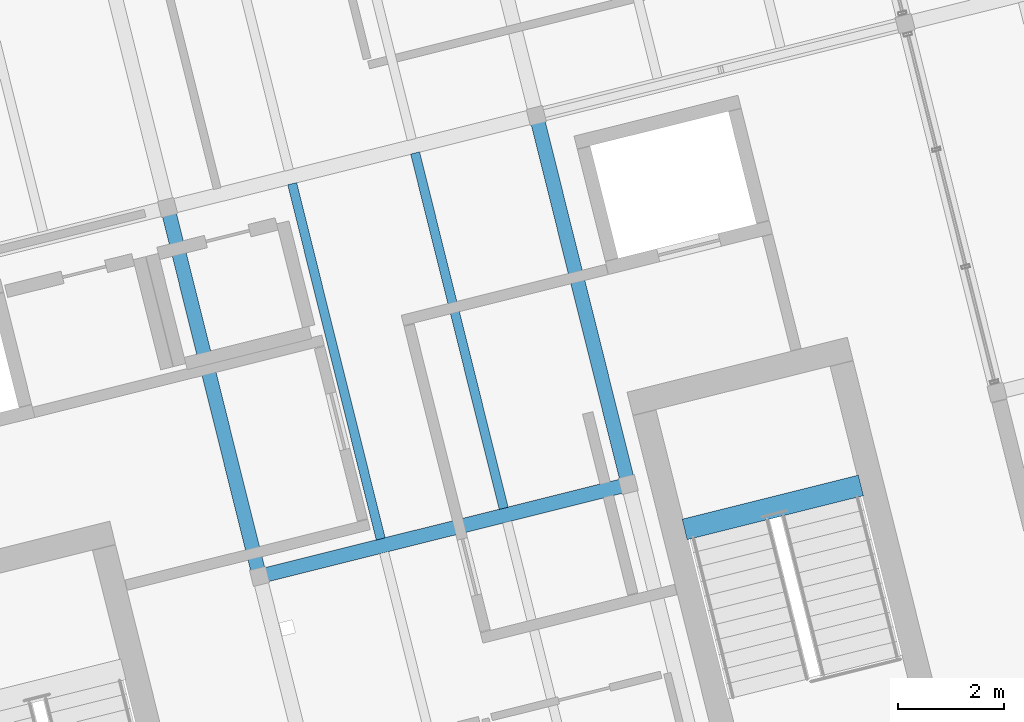
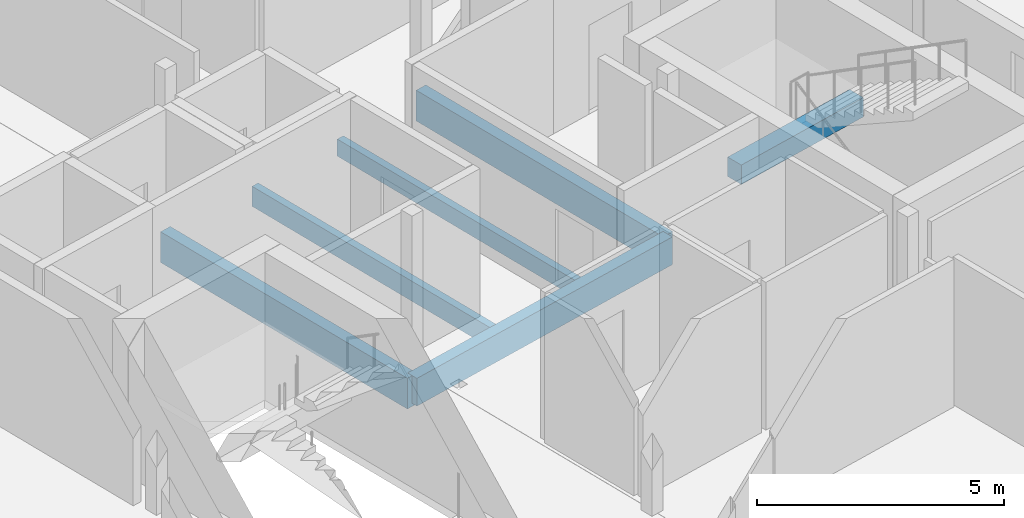
# One storey, part 13 of 24: 6 beams.
"""IFC4 building model written with IfcOpenShell, lengths in metres."""

from ifc_helpers import new_model, si_unit, direction, frame, origin, origin_2d, place, context, subcontext, project, spatial, rectangle, extrude, material, material_profile, profile_set, type_object, element, save


model = new_model("IFC4")

# Units and contexts
model_context = context("Model", 3, precision=1e-05, world=origin(), true_north=direction((0.0, 1.0)))
body_context = subcontext(model_context, "Body", "Model", "MODEL_VIEW")
ifc_project = project(units=[si_unit("LENGTHUNIT", "METRE"), si_unit("AREAUNIT", "SQUARE_METRE"), si_unit("VOLUMEUNIT", "CUBIC_METRE"), si_unit("PLANEANGLEUNIT", "RADIAN"), si_unit("MASSUNIT", "GRAM", prefix="KILO")], contexts=[model_context])

# Site, building, storey
site_placement = place(None, origin())
site = spatial("IfcSite", under=ifc_project, at=site_placement, CompositionType="ELEMENT")
building_placement = place(site_placement, origin())
building = spatial("IfcBuilding", under=site, at=building_placement, Name="Meriwether Solvik Hall", CompositionType="ELEMENT")
storey_placement = place(building_placement, frame((0.0, 0.0, 57.300048828125)))
storey = spatial("IfcBuildingStorey", under=building, at=storey_placement, Name="L14", CompositionType="ELEMENT", Elevation=57.300048828125)

# Beams
ifc_material_1 = material(Name="Glulam Douglas-Fir 24F-V8 GL28h", Category="wood")
ifc_material_profile_1 = material_profile(ifc_material_1, rectangle(XDim=0.27294921875, YDim=0.68505859375, at=origin_2d()), Name="GLB-273X685")
ifc_profile_set_1 = profile_set([ifc_material_profile_1], Name="Glulam Douglas-Fir 24F-V8 GL28h")
beam_type_1 = type_object("IfcBeamType", Name="BM-GL-273X685", PredefinedType="BEAM", material=ifc_profile_set_1)
beam_1_placement = place(storey_placement, frame((79.621826171875, 58.17041015625, -0.54248046875), z_axis=(0.970291911955, 0.241937193493, 0.0), x_axis=(-0.241937193493, 0.970291911955, 0.0)))
element("IfcBeam", 1, at=beam_1_placement, inside=storey, type_object=beam_type_1, Name="Tower Girder TC:T3-T4 (L14)", PredefinedType="BEAM", context=body_context, shape_type="SweptSolid", body=[
    extrude(rectangle(XDim=0.27294921875, YDim=0.68505859375, at=origin_2d()), origin(), (0.0, 0.0, 1.0), 7.199951171875),
])
ifc_material_2 = material(Name="Glulam Douglas-Fir 24F-V8 GL28h", Category="wood")
ifc_material_profile_2 = material_profile(ifc_material_2, rectangle(XDim=0.27294921875, YDim=0.760009765625, at=origin_2d()), Name="GLB-273X760")
ifc_profile_set_2 = profile_set([ifc_material_profile_2], Name="Glulam Douglas-Fir 24F-V8 GL28h")
beam_type_2 = type_object("IfcBeamType", Name="BM-GL-273X760", PredefinedType="BEAM", material=ifc_profile_set_2)
beam_2_placement = place(storey_placement, frame((79.621826171875, 58.17041015625, -0.580078125), z_axis=(-0.241897310542, 0.970301855688, 0.0), x_axis=(-0.970301855688, -0.241897310542, 0.0)))
element("IfcBeam", 2, at=beam_2_placement, inside=storey, type_object=beam_type_2, Name="Tower Girder T3:TC-TD (L14)", PredefinedType="BEAM", context=body_context, shape_type="SweptSolid", body=[
    extrude(rectangle(XDim=0.27294921875, YDim=0.760009765625, at=origin_2d()), origin(), (0.0, 0.0, 1.0), 7.2001953125),
])
beam_3_placement = place(storey_placement, frame((86.60791015625, 59.912353515625, -0.580078125), z_axis=(-0.241905269381, 0.970299871507, 0.0), x_axis=(-0.970299871507, -0.241905269381, 0.0)))
element("IfcBeam", 3, at=beam_3_placement, inside=storey, type_object=beam_type_2, Name="Tower Girder T4:TC-TD (L14)", PredefinedType="BEAM", context=body_context, shape_type="SweptSolid", body=[
    extrude(rectangle(XDim=0.27294921875, YDim=0.760009765625, at=origin_2d()), origin(), (0.0, 0.0, 1.0), 7.199951171875),
])
ifc_material_3 = material(Name="Concrete C40/50", Category="concrete")
ifc_material_profile_3 = material_profile(ifc_material_3, rectangle(XDim=0.39990234375, YDim=0.47998046875, at=origin_2d()), Name="RCB-400X480")
ifc_profile_set_3 = profile_set([ifc_material_profile_3], Name="Concrete C40/50")
beam_type_3 = type_object("IfcBeamType", Name="BM-LND-RC-400X480", PredefinedType="BEAM", material=ifc_profile_set_3)
beam_4_placement = place(storey_placement, frame((87.67578125, 59.060302734375, 1.510009765625), z_axis=(0.970292601873, 0.24193442655, 0.0), x_axis=(-0.24193442655, 0.970292601873, 0.0)))
element("IfcBeam", 4, at=beam_4_placement, inside=storey, type_object=beam_type_3, Name="Stair ST-02 Half-Landing Header Beam (L14)", PredefinedType="BEAM", context=body_context, shape_type="SweptSolid", body=[
    extrude(rectangle(XDim=0.39990234375, YDim=0.47998046875, at=origin_2d()), origin(), (0.0, 0.0, 1.0), 3.440185546875),
])
ifc_material_4 = material(Name="Glulam Douglas-Fir 24F-V8 GL28h", Category="wood")
ifc_material_profile_4 = material_profile(ifc_material_4, rectangle(XDim=0.175048828125, YDim=0.419921875, at=origin_2d()), Name="GLJ-175X420")
ifc_profile_set_4 = profile_set([ifc_material_profile_4], Name="Glulam Douglas-Fir 24F-V8 GL28h")
beam_type_4 = type_object("IfcBeamType", Name="JST-GL-175X420", PredefinedType="JOIST", material=ifc_profile_set_4)
beam_5_placement = place(storey_placement, frame((84.24755859375, 59.459228515625, -0.41015625), z_axis=(-0.241922788949, 0.970295503539, 0.0), x_axis=(-0.970295503539, -0.241922788949, 0.0)))
element("IfcBeam", 5, at=beam_5_placement, inside=storey, type_object=beam_type_4, Name="Glulam Floor Joist T3/TC-J2 (L14)", PredefinedType="JOIST", context=body_context, shape_type="SweptSolid", body=[
    extrude(rectangle(XDim=0.175048828125, YDim=0.419921875, at=origin_2d()), origin(), (0.0, 0.0, 1.0), 6.93701171875),
])
ifc_material_5 = material(Name="Glulam Douglas-Fir 24F-V8 GL28h", Category="wood")
ifc_material_profile_5 = material_profile(ifc_material_5, rectangle(XDim=0.175048828125, YDim=0.4951171875, at=origin_2d()), Name="GLJ-175X495")
ifc_profile_set_5 = profile_set([ifc_material_profile_5], Name="Glulam Douglas-Fir 24F-V8 GL28h")
beam_type_5 = type_object("IfcBeamType", Name="JST-GL-175X495", PredefinedType="JOIST", material=ifc_profile_set_5)
beam_6_placement = place(storey_placement, frame((81.918701171875, 58.878662109375, -0.447509765625), z_axis=(-0.241922788949, 0.970295503539, 0.0), x_axis=(-0.970295503539, -0.241922788949, 0.0)))
element("IfcBeam", 6, at=beam_6_placement, inside=storey, type_object=beam_type_5, Name="Glulam Floor Joist T3/TC-J1 (L14)", PredefinedType="JOIST", context=body_context, shape_type="SweptSolid", body=[
    extrude(rectangle(XDim=0.175048828125, YDim=0.4951171875, at=origin_2d()), origin(), (0.0, 0.0, 1.0), 6.93701171875),
])

save(model, "model.ifc")
